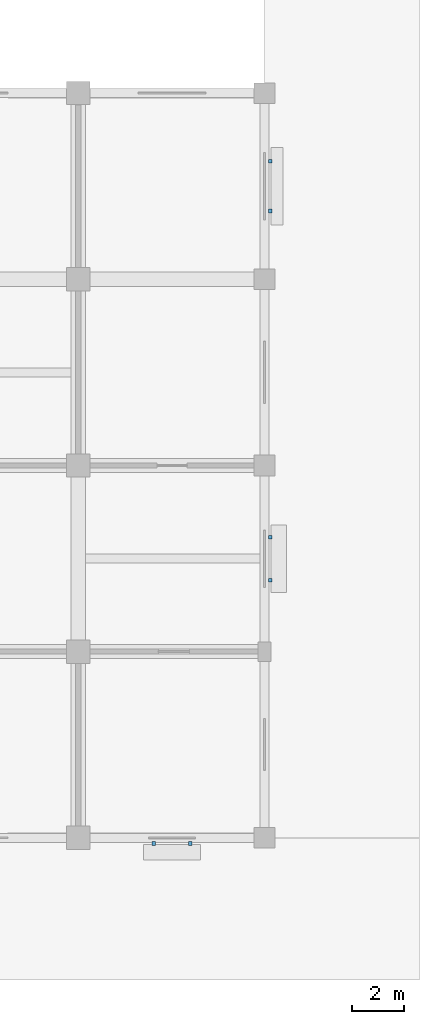
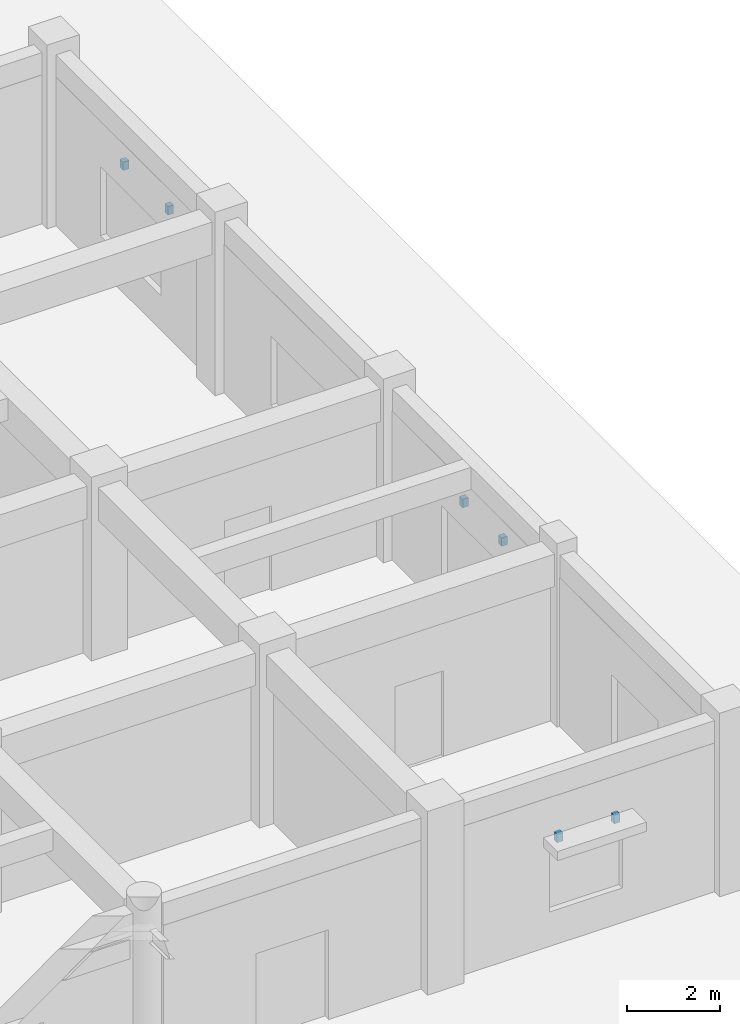
# One storey, part 31 of 37: 6 discrete accessories.
"""IFC4 building model written with IfcOpenShell, lengths in metres."""

from ifc_helpers import new_model, si_unit, direction, frame, origin, origin_2d, place, context, subcontext, project, spatial, rectangle, extrude, material, type_object, element, save


model = new_model("IFC4")

# Units and contexts
model_context = context("Model", 3, precision=1e-05, world=origin(), true_north=direction((0.0, 1.0)))
body_context = subcontext(model_context, "Body", "Model", "MODEL_VIEW")
ifc_project = project(units=[si_unit("LENGTHUNIT", "METRE"), si_unit("AREAUNIT", "SQUARE_METRE"), si_unit("VOLUMEUNIT", "CUBIC_METRE"), si_unit("PLANEANGLEUNIT", "RADIAN"), si_unit("MASSUNIT", "GRAM", prefix="KILO")], contexts=[model_context])

# Site, building, storey
site_placement = place(None, origin())
site = spatial("IfcSite", under=ifc_project, at=site_placement, CompositionType="ELEMENT")
building_placement = place(site_placement, origin())
building = spatial("IfcBuilding", under=site, at=building_placement, Name="Cendaluz Park School", CompositionType="ELEMENT")
storey_placement = place(building_placement, origin())
storey = spatial("IfcBuildingStorey", under=building, at=storey_placement, Name="L00", CompositionType="ELEMENT", Elevation=0.0)

# Discrete accessories
ifc_material = material(Name="Steel S355", Category="steel")
discrete_accessory_type = type_object("IfcDiscreteAccessoryType", Name="BK-01", PredefinedType="BRACKET", material=ifc_material)
for number, where, z_axis, x_axis, name in (
    (1, (168.52099609375, -0.219970703125, 2.72998046875), (0.0, 0.0, 1.0), (1.0, 0.0, 0.0), "BK-L00-055"),
    (2, (169.928955078125, -0.219970703125, 2.72998046875), (0.0, 0.0, 1.0), (1.0, 0.0, 0.0), "BK-L00-056"),
    (3, (173.02001953125, 9.95556640625, 2.72998046875), (0.0, 0.0, 1.0), (0.0, 1.0, 0.0), "BK-L00-057"),
    (4, (173.02001953125, 11.619384765625, 2.72998046875), (0.0, 0.0, 1.0), (0.0, 1.0, 0.0), "BK-L00-058"),
    (5, (173.02001953125, 24.239990234375, 2.72998046875), (0.0, 0.0, 1.0), (0.0, 1.0, 0.0), "BK-L00-059"),
    (6, (173.02001953125, 26.159912109375, 2.72998046875), (0.0, 0.0, 1.0), (0.0, 1.0, 0.0), "BK-L00-060"),
):
    element("IfcDiscreteAccessory", number, at=place(storey_placement, frame(where, z_axis=z_axis, x_axis=x_axis)), inside=storey, type_object=discrete_accessory_type, Name=name, PredefinedType="BRACKET", context=body_context, shape_type="SweptSolid", body=[
        extrude(rectangle(XDim=0.139892578125, YDim=0.139892578125, at=origin_2d()), origin(), (0.0, 0.0, 1.0), 0.219970703125),
    ])

save(model, "model.ifc")
